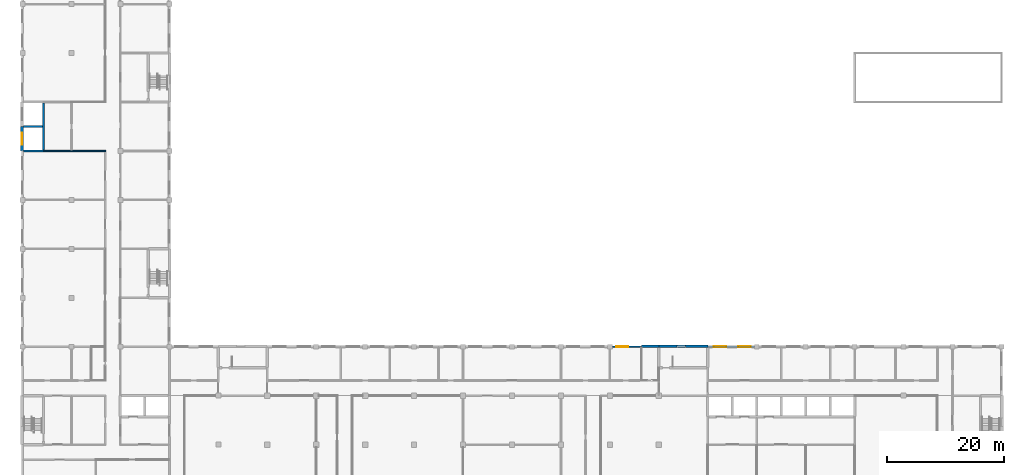
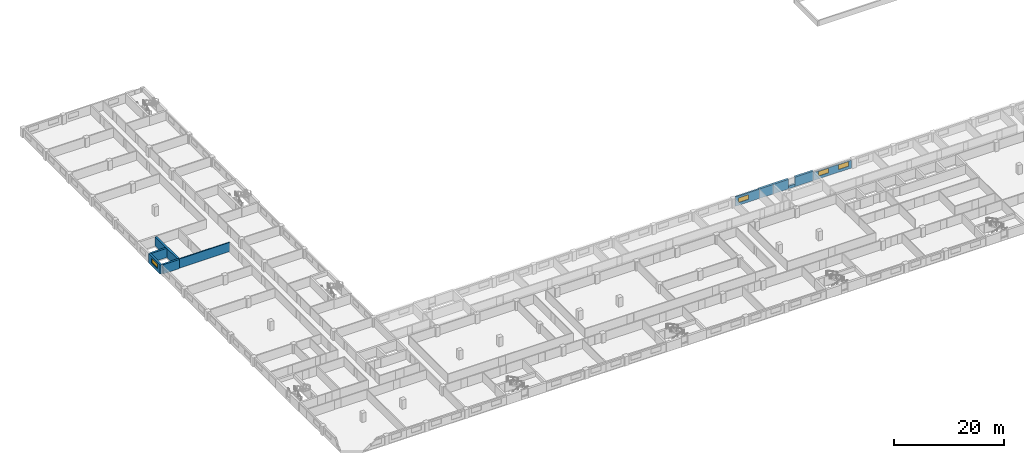
# One storey, part 36 of 48: 11 walls, 4 windows, 4 openings.
"""IFC4 building model written with IfcOpenShell, lengths in metres."""

from ifc_helpers import new_model, si_unit, direction, frame, frame_2d, origin, place, context, subcontext, project, spatial, rectangle, extrude, material, layer, layer_set, type_object, element, fill, save


model = new_model("IFC4")

# Units and contexts
model_context = context("Model", 3, precision=1e-05, world=origin(), true_north=direction((0.0, 1.0)))
body_context = subcontext(model_context, "Body", "Model", "MODEL_VIEW")
ifc_project = project(units=[si_unit("LENGTHUNIT", "METRE"), si_unit("AREAUNIT", "SQUARE_METRE"), si_unit("VOLUMEUNIT", "CUBIC_METRE"), si_unit("PLANEANGLEUNIT", "RADIAN"), si_unit("MASSUNIT", "GRAM", prefix="KILO")], contexts=[model_context])

# Site, building, storey
site_placement = place(None, origin())
site = spatial("IfcSite", under=ifc_project, at=site_placement, CompositionType="ELEMENT")
building_placement = place(site_placement, origin())
building = spatial("IfcBuilding", under=site, at=building_placement, Name="Yavir Park General Hospital", CompositionType="ELEMENT")
storey_placement = place(building_placement, frame((0.0, 0.0, 12.89990234375)))
storey = spatial("IfcBuildingStorey", under=building, at=storey_placement, Name="I02", CompositionType="ELEMENT", Elevation=12.89990234375)

# Wall, opening, window
ifc_material_1 = material(Name="Insulated sandwich panels on a Steel S355 subframe", Category="steel")
ifc_layer_1 = layer(ifc_material_1, 0.300048828125)
ifc_layer_set_1 = layer_set([ifc_layer_1], Name="Insulated sandwich panels on a Steel S355 subframe")
wall_type_1 = type_object("IfcWallType", Name="Insulated panel service floor wall 300, E 30", PredefinedType="SOLIDWALL", material=ifc_layer_set_1)
wall_1_placement = place(storey_placement, frame((101.22509765625, 33.60009765625, 0.0), z_axis=(0.0, 0.0, 1.0), x_axis=(1.0, 0.0, 0.0)))
wall_1 = element("IfcWall", 1, at=wall_1_placement, inside=storey, type_object=wall_type_1, Name="XW5 I02-048", PredefinedType="SOLIDWALL", context=body_context, shape_type="SweptSolid", body=[
    extrude(rectangle(XDim=4.974853515625, YDim=0.300048828125, at=frame_2d((2.4873046875, 0.0))), origin(), (0.0, 0.0, 1.0), 2.10009765625),
])
opening_1_placement = place(wall_1_placement, frame((0.625, 0.0, 0.60009765625)))
opening_1 = element("IfcOpeningElement", 2, at=opening_1_placement, cuts=wall_1, Name="Opening LV3", PredefinedType="OPENING", context=body_context, shape_type="SweptSolid", body=[
    extrude(rectangle(XDim=2.10009765625, YDim=1.050048828125, at=frame_2d((1.050048828125, 0.52490234375))), frame((0.0, 0.159912109375, 0.0), z_axis=(0.0, -1.0, 0.0), x_axis=(1.0, 0.0, 0.0)), (0.0, 0.0, 1.0), 0.320068359375),
])
ifc_material_2 = material(Name="Anodised aluminium louvre blades in a deep frame", Category="aluminium")
window_type = type_object("IfcWindowType", Name="Interstitial floor louvre 2100 x 1050", PartitioningType="SINGLE_PANEL", PredefinedType="WINDOW", material=ifc_material_2)
window_1_placement = place(opening_1_placement, origin())
window_1 = element("IfcWindow", 3, at=window_1_placement, inside=storey, type_object=window_type, Name="LV3 I02-048", OverallHeight=1.050048828125, OverallWidth=2.10009765625, PartitioningType="SINGLE_PANEL", PredefinedType="WINDOW", context=body_context, shape_type="SweptSolid", body=[
    extrude(rectangle(XDim=2.10009765625, YDim=1.050048828125, at=frame_2d((1.050048828125, 0.52490234375))), frame((0.0, 0.074951171875, 0.0), z_axis=(0.0, -1.0, 0.0), x_axis=(1.0, 0.0, 0.0)), (0.0, 0.0, 1.0), 0.14990234375),
])
fill(opening_1, window_1)

# Wall, openings, windows
wall_2_placement = place(storey_placement, frame((117.60009765625, 33.60009765625, 0.0), z_axis=(0.0, 0.0, 1.0), x_axis=(1.0, 0.0, 0.0)))
wall_2 = element("IfcWall", 4, at=wall_2_placement, inside=storey, type_object=wall_type_1, Name="XW5 I02-053", PredefinedType="SOLIDWALL", context=body_context, shape_type="SweptSolid", body=[
    extrude(rectangle(XDim=7.974853515625, YDim=0.300048828125, at=frame_2d((3.9873046875, 0.0))), origin(), (0.0, 0.0, 1.0), 1.739990234375),
])
opening_2_placement = place(wall_2_placement, frame((1.050048828125, 0.0, 0.60009765625)))
opening_2 = element("IfcOpeningElement", 5, at=opening_2_placement, cuts=wall_2, Name="Opening LV3", PredefinedType="OPENING", context=body_context, shape_type="SweptSolid", body=[
    extrude(rectangle(XDim=2.10009765625, YDim=1.050048828125, at=frame_2d((1.050048828125, 0.52490234375))), frame((0.0, 0.159912109375, 0.0), z_axis=(0.0, -1.0, 0.0), x_axis=(1.0, 0.0, 0.0)), (0.0, 0.0, 1.0), 0.320068359375),
])
opening_3_placement = place(wall_2_placement, frame((5.25, 0.0, 0.60009765625)))
opening_3 = element("IfcOpeningElement", 6, at=opening_3_placement, cuts=wall_2, Name="Opening LV3", PredefinedType="OPENING", context=body_context, shape_type="SweptSolid", body=[
    extrude(rectangle(XDim=2.10009765625, YDim=1.050048828125, at=frame_2d((1.050048828125, 0.52490234375))), frame((0.0, 0.159912109375, 0.0), z_axis=(0.0, -1.0, 0.0), x_axis=(1.0, 0.0, 0.0)), (0.0, 0.0, 1.0), 0.320068359375),
])
window_2_placement = place(opening_2_placement, origin())
window_2 = element("IfcWindow", 7, at=window_2_placement, inside=storey, type_object=window_type, Name="LV3 I02-049", OverallHeight=1.050048828125, OverallWidth=2.10009765625, PartitioningType="SINGLE_PANEL", PredefinedType="WINDOW", context=body_context, shape_type="SweptSolid", body=[
    extrude(rectangle(XDim=2.10009765625, YDim=1.050048828125, at=frame_2d((1.050048828125, 0.52490234375))), frame((0.0, 0.074951171875, 0.0), z_axis=(0.0, -1.0, 0.0), x_axis=(1.0, 0.0, 0.0)), (0.0, 0.0, 1.0), 0.14990234375),
])
fill(opening_2, window_2)
window_3_placement = place(opening_3_placement, origin())
window_3 = element("IfcWindow", 8, at=window_3_placement, inside=storey, type_object=window_type, Name="LV3 I02-050", OverallHeight=1.050048828125, OverallWidth=2.10009765625, PartitioningType="SINGLE_PANEL", PredefinedType="WINDOW", context=body_context, shape_type="SweptSolid", body=[
    extrude(rectangle(XDim=2.10009765625, YDim=1.050048828125, at=frame_2d((1.050048828125, 0.52490234375))), frame((0.0, 0.074951171875, 0.0), z_axis=(0.0, -1.0, 0.0), x_axis=(1.0, 0.0, 0.0)), (0.0, 0.0, 1.0), 0.14990234375),
])
fill(opening_3, window_3)

# Walls
ifc_material_3 = material(Name="Clay block masonry infill", Category="masonry")
ifc_layer_2 = layer(ifc_material_3, 0.199951171875)
ifc_layer_set_2 = layer_set([ifc_layer_2], Name="Clay block masonry infill")
wall_type_2 = type_object("IfcWallType", Name="Masonry infill wall 200", PredefinedType="SOLIDWALL", material=ifc_layer_set_2)
wall_3_placement = place(storey_placement, frame((3.60009765625, 67.199951171875, 0.0), z_axis=(0.0, 0.0, 1.0), x_axis=(1.0, 0.0, 0.0)))
element("IfcWall", 9, at=wall_3_placement, inside=storey, type_object=wall_type_2, Name="MW20 I02-084", PredefinedType="SOLIDWALL", context=body_context, shape_type="SweptSolid", body=[
    extrude(rectangle(XDim=10.699951171875, YDim=0.199951171875, at=frame_2d((5.35009765625, 0.0))), origin(), (0.0, 0.0, 1.0), 2.0400390625),
])
ifc_material_4 = material(Name="Concrete C35/45", Category="concrete")
ifc_layer_3 = layer(ifc_material_4, 0.39990234375)
ifc_layer_set_3 = layer_set([ifc_layer_3], Name="Concrete C35/45")
wall_type_3 = type_object("IfcWallType", Name="Reinforced concrete core wall 400, REI 150", PredefinedType="SHEAR", material=ifc_layer_set_3)
wall_4_placement = place(storey_placement, frame((0.14990234375, 67.199951171875, 0.0), z_axis=(0.0, 0.0, 1.0), x_axis=(1.0, 0.0, 0.0)))
element("IfcWall", 10, at=wall_4_placement, inside=storey, type_object=wall_type_3, Name="CW40 I02-083", PredefinedType="SHEAR", context=body_context, shape_type="SweptSolid", body=[
    extrude(rectangle(XDim=3.4501953125, YDim=0.39990234375, at=frame_2d((1.72509765625, 0.0))), origin(), (0.0, 0.0, 1.0), 2.0400390625),
])
wall_5_placement = place(storey_placement, frame((0.14990234375, 71.39990234375, 0.0), z_axis=(0.0, 0.0, 1.0), x_axis=(1.0, 0.0, 0.0)))
element("IfcWall", 11, at=wall_5_placement, inside=storey, type_object=wall_type_3, Name="CW40 I02-086", PredefinedType="SHEAR", context=body_context, shape_type="SweptSolid", body=[
    extrude(rectangle(XDim=3.25, YDim=0.39990234375, at=frame_2d((1.625, 0.0))), origin(), (0.0, 0.0, 1.0), 2.0400390625),
])
wall_6_placement = place(storey_placement, frame((3.60009765625, 67.39990234375, 0.0), z_axis=(0.0, 0.0, 1.0), x_axis=(0.0, 1.0, 0.0)))
element("IfcWall", 12, at=wall_6_placement, inside=storey, type_object=wall_type_3, Name="CW40 I02-105", PredefinedType="SHEAR", context=body_context, shape_type="SweptSolid", body=[
    extrude(rectangle(XDim=8.0, YDim=0.39990234375, at=frame_2d((4.0, 0.0))), origin(), (0.0, 0.0, 1.0), 2.0400390625),
])
ifc_material_5 = material(Name="Concrete C30/37 precast panel with 150 mm mineral wool insulation", Category="concrete")
ifc_layer_4 = layer(ifc_material_5, 0.449951171875)
ifc_layer_set_4 = layer_set([ifc_layer_4], Name="Concrete C30/37 precast panel with 150 mm mineral wool insulation")
wall_type_4 = type_object("IfcWallType", Name="Stair enclosure wall 450, REI 150", PredefinedType="SOLIDWALL", material=ifc_layer_set_4)
wall_7_placement = place(storey_placement, frame((106.199951171875, 33.675048828125, 0.0), z_axis=(0.0, 0.0, 1.0), x_axis=(1.0, 0.0, 0.0)))
element("IfcWall", 13, at=wall_7_placement, inside=storey, type_object=wall_type_4, Name="XW6 I02-049", PredefinedType="SOLIDWALL", context=body_context, shape_type="SweptSolid", body=[
    extrude(rectangle(XDim=3.0, YDim=0.449951171875, at=frame_2d((1.5, 0.0))), origin(), (0.0, 0.0, 1.0), 2.10009765625),
])
wall_8_placement = place(storey_placement, frame((109.199951171875, 33.675048828125, 0.0), z_axis=(0.0, 0.0, 1.0), x_axis=(1.0, 0.0, 0.0)))
element("IfcWall", 14, at=wall_8_placement, inside=storey, type_object=wall_type_4, Name="XW6 I02-050", PredefinedType="SOLIDWALL", context=body_context, shape_type="SweptSolid", body=[
    extrude(rectangle(XDim=3.150146484375, YDim=0.449951171875, at=frame_2d((1.5751953125, 0.0))), origin(), (0.0, 0.0, 1.0), 2.10009765625),
])
wall_9_placement = place(storey_placement, frame((113.75, 33.675048828125, 0.0), z_axis=(0.0, 0.0, 1.0), x_axis=(1.0, 0.0, 0.0)))
element("IfcWall", 15, at=wall_9_placement, inside=storey, type_object=wall_type_4, Name="XW6 I02-051", PredefinedType="SOLIDWALL", context=body_context, shape_type="SweptSolid", body=[
    extrude(rectangle(XDim=3.85009765625, YDim=0.449951171875, at=frame_2d((1.925048828125, 0.0))), origin(), (0.0, 0.0, 1.0), 2.10009765625),
])
wall_10_placement = place(storey_placement, frame((112.35009765625, 33.675048828125, 0.0), z_axis=(0.0, 0.0, 1.0), x_axis=(1.0, 0.0, 0.0)))
element("IfcWall", 16, at=wall_10_placement, inside=storey, type_object=wall_type_4, Name="XW6 I02-052", PredefinedType="SOLIDWALL", context=body_context, shape_type="SweptSolid", body=[
    extrude(rectangle(XDim=1.39990234375, YDim=0.449951171875, at=frame_2d((0.699951171875, 0.0))), origin(), (0.0, 0.0, 1.0), 0.60009765625),
])

# Wall, opening, window
wall_11_placement = place(storey_placement, frame((-0.074951171875, 67.199951171875, 0.0), z_axis=(0.0, 0.0, 1.0), x_axis=(0.0, 1.0, 0.0)))
wall_11 = element("IfcWall", 17, at=wall_11_placement, inside=storey, type_object=wall_type_4, Name="XW6 I02-082", PredefinedType="SOLIDWALL", context=body_context, shape_type="SweptSolid", body=[
    extrude(rectangle(XDim=4.199951171875, YDim=0.449951171875, at=frame_2d((2.10009765625, 0.0))), origin(), (0.0, 0.0, 1.0), 2.0400390625),
])
opening_4_placement = place(wall_11_placement, frame((1.050048828125, 0.0, 0.60009765625)))
opening_4 = element("IfcOpeningElement", 18, at=opening_4_placement, cuts=wall_11, Name="Opening LV3", PredefinedType="OPENING", context=body_context, shape_type="SweptSolid", body=[
    extrude(rectangle(XDim=2.10009765625, YDim=1.050048828125, at=frame_2d((1.050048828125, 0.52490234375))), frame((0.0, 0.23486328125, 0.0), z_axis=(0.0, -1.0, 0.0), x_axis=(1.0, 0.0, 0.0)), (0.0, 0.0, 1.0), 0.469970703125),
])
window_4_placement = place(opening_4_placement, origin())
window_4 = element("IfcWindow", 19, at=window_4_placement, inside=storey, type_object=window_type, Name="LV3 I02-075", OverallHeight=1.050048828125, OverallWidth=2.10009765625, PartitioningType="SINGLE_PANEL", PredefinedType="WINDOW", context=body_context, shape_type="SweptSolid", body=[
    extrude(rectangle(XDim=2.10009765625, YDim=1.050048828125, at=frame_2d((1.050048828125, 0.52490234375))), frame((0.0, 0.074951171875, 0.0), z_axis=(0.0, -1.0, 0.0), x_axis=(1.0, 0.0, 0.0)), (0.0, 0.0, 1.0), 0.14990234375),
])
fill(opening_4, window_4)

save(model, "model.ifc")
